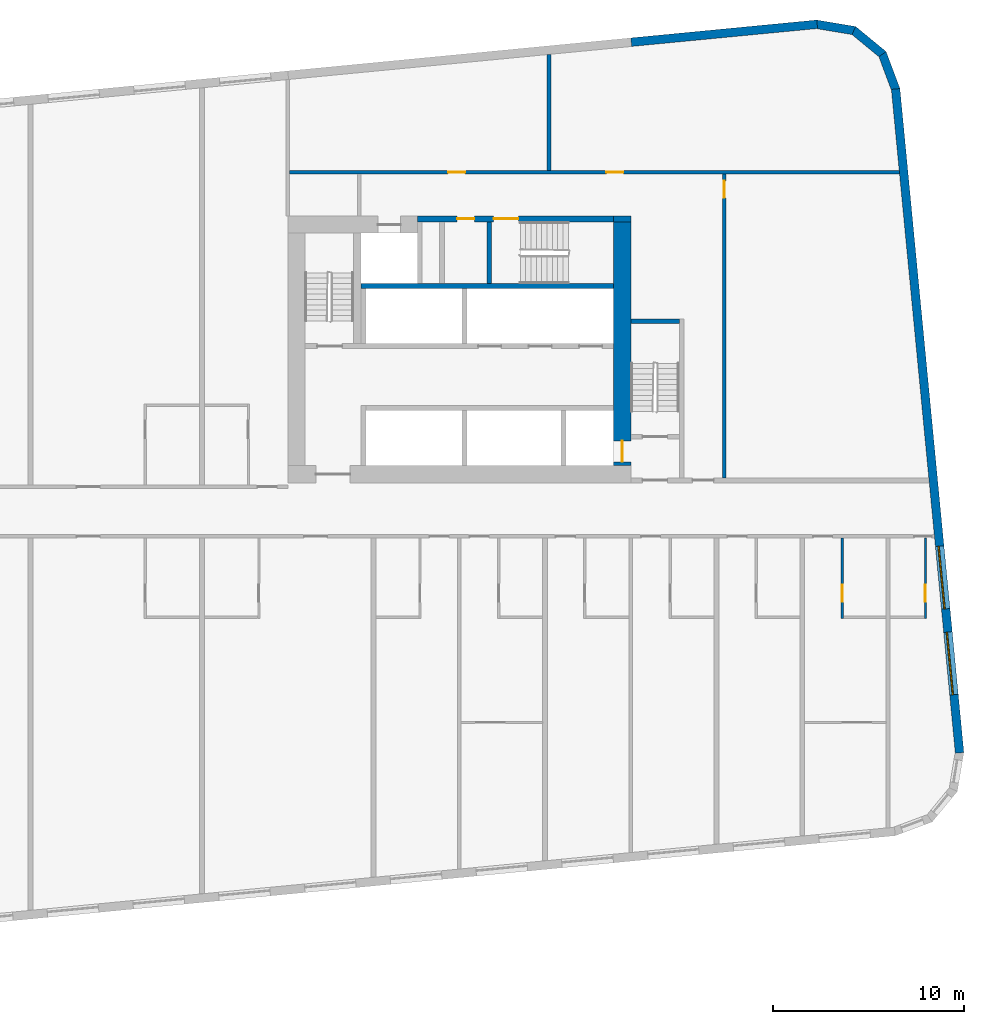
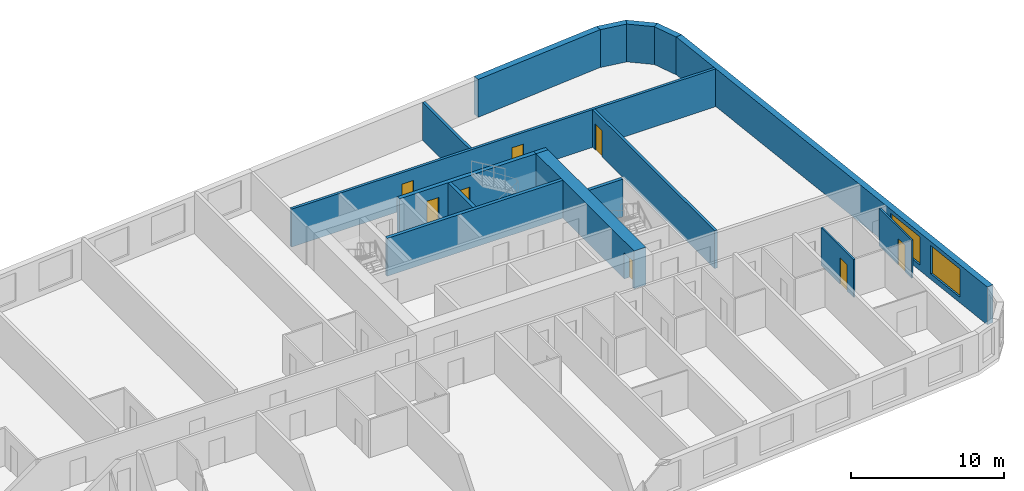
# One storey, part 8 of 12: 16 walls, 8 doors, 2 windows, 10 openings.
"""IFC4 building model written with IfcOpenShell, lengths in metres."""

import ifcopenshell
import ifcopenshell.guid

model = None  # the IFC model being written
_history = None  # IfcOwnerHistory: only IFC2X3 demands one
_inside = {}  # id of a spatial element -> (the spatial element, [elements in it])
_under = {}  # id of a project, library or spatial element -> (it, [spatial elements below it])
_declared = {}  # id of a project -> (the project, [libraries it declares])
_typed = {}  # id of a type object -> (the type object, [elements of that type])
_made_of = {}  # id of a material, layer set ... -> (it, [elements and type objects made of it])


def new_model(schema):
    """Start an empty IFC model of exactly this schema.

    Asked for "IFC4X3", IfcOpenShell would pick the latest addendum, in which some entities
    have other attributes; the version numbers below select the first issue.
    IFC2X3 requires an IfcOwnerHistory on every rooted entity: one is made here for all.
    """
    global model, _history
    if schema == "IFC4X3":
        model = ifcopenshell.file(schema_version=(4, 3, 0, 0))
    else:
        model = ifcopenshell.file(schema=schema)
    _inside.clear()
    _under.clear()
    _declared.clear()
    _typed.clear()
    _made_of.clear()
    _history = None
    if model.schema == "IFC2X3":
        org = make("IfcOrganization", Name="unknown")
        user = make(
            "IfcPersonAndOrganization",
            ThePerson=make("IfcPerson", FamilyName="unknown"),
            TheOrganization=org,
        )
        app = make(
            "IfcApplication",
            ApplicationDeveloper=org,
            Version="unknown",
            ApplicationFullName="unknown",
            ApplicationIdentifier="unknown",
        )
        _history = make(
            "IfcOwnerHistory",
            OwningUser=user,
            OwningApplication=app,
            ChangeAction="ADDED",
            CreationDate=0,
        )
    return model


def make(cls, **values):
    """One entity of the class cls with the attributes given. An attribute that is None is left unset."""
    return model.create_entity(
        cls, **{name: value for name, value in values.items() if value is not None}
    )


def rooted(cls, **values):
    """An entity with a GlobalId (a new one), such as an element, a storey or a relation."""
    return make(cls, GlobalId=ifcopenshell.guid.new(), OwnerHistory=_history, **values)


def si_unit(unit_type, name, prefix=None):
    """IfcSIUnit, for example si_unit("LENGTHUNIT", "METRE", prefix="MILLI")."""
    return make("IfcSIUnit", UnitType=unit_type, Prefix=prefix, Name=name)


def assignment(units):
    """IfcUnitAssignment: the units of a project."""
    return None if units is None else make("IfcUnitAssignment", Units=units)


def point(xyz):
    """IfcCartesianPoint."""
    return None if xyz is None else make("IfcCartesianPoint", Coordinates=xyz)


def direction(xyz):
    """IfcDirection."""
    return None if xyz is None else make("IfcDirection", DirectionRatios=xyz)


def frame(location, z_axis=None, x_axis=None):
    """IfcAxis2Placement3D, a coordinate frame: its origin and axes. An axis left out is left unset."""
    return make(
        "IfcAxis2Placement3D",
        Location=point(location),
        Axis=direction(z_axis),
        RefDirection=direction(x_axis),
    )


def frame_2d(location, x_axis=None):
    """IfcAxis2Placement2D, a coordinate frame in the plane: its origin and x axis."""
    return make(
        "IfcAxis2Placement2D", Location=point(location), RefDirection=direction(x_axis)
    )


def origin():
    """The frame at (0, 0, 0) with its axes left unset."""
    return frame((0.0, 0.0, 0.0))


def place(relative_to, where):
    """IfcLocalPlacement: puts the frame where relative to a parent placement (None: the world)."""
    return make(
        "IfcLocalPlacement", PlacementRelTo=relative_to, RelativePlacement=where
    )


def context(
    kind, dimensions, precision=None, world=None, true_north=None, identifier=None
):
    """IfcGeometricRepresentationContext, for example the 3D "Model" context."""
    return make(
        "IfcGeometricRepresentationContext",
        ContextIdentifier=identifier,
        ContextType=kind,
        CoordinateSpaceDimension=dimensions,
        Precision=precision,
        WorldCoordinateSystem=world,
        TrueNorth=true_north,
    )


def subcontext(parent, identifier, kind, view, scale=None):
    """IfcGeometricRepresentationSubContext, for example "Body" below "Model"."""
    return make(
        "IfcGeometricRepresentationSubContext",
        ContextIdentifier=identifier,
        ContextType=kind,
        ParentContext=parent,
        TargetScale=scale,
        TargetView=view,
    )


def project(units=None, contexts=None):
    """IfcProject with its units and contexts."""
    return rooted(
        "IfcProject",
        Name="project",
        RepresentationContexts=contexts,
        UnitsInContext=assignment(units),
    )


def spatial(cls, under=None, at=None, **own):
    """A site, building, storey or space (cls), placed at a placement, below another one or the project."""
    s = rooted(cls, ObjectPlacement=at, **own)
    if under is not None:
        _under.setdefault(under.id(), (under, []))[1].append(s)
    return s


def polyline(points):
    """IfcPolyline through the points."""
    return make("IfcPolyline", Points=[point(p) for p in points])


def profile(cls, at=None, kind="AREA", **sizes):
    """A parametric profile (cls). Its sizes go by their IFC names, for example OverallWidth=200.0."""
    return make(cls, ProfileType=kind, Position=at, **sizes)


def rectangle(**sizes):
    """IfcRectangleProfileDef."""
    return profile("IfcRectangleProfileDef", **sizes)


def outline(outer, holes=None, kind="AREA"):
    """IfcArbitraryClosedProfileDef: a profile drawn as a closed curve; with holes, ...WithVoids."""
    if holes is None:
        return make("IfcArbitraryClosedProfileDef", ProfileType=kind, OuterCurve=outer)
    return make(
        "IfcArbitraryProfileDefWithVoids",
        ProfileType=kind,
        OuterCurve=outer,
        InnerCurves=holes,
    )


def extrude(swept, where, along, depth):
    """IfcExtrudedAreaSolid: the profile swept, set in the frame where, extruded along a direction by depth."""
    return make(
        "IfcExtrudedAreaSolid",
        SweptArea=swept,
        Position=where,
        ExtrudedDirection=direction(along),
        Depth=depth,
    )


def shape(context_of_items, identifier, shape_type, items):
    """IfcShapeRepresentation: the items that make up one representation, for example the "Body"."""
    return make(
        "IfcShapeRepresentation",
        ContextOfItems=context_of_items,
        RepresentationIdentifier=identifier,
        RepresentationType=shape_type,
        Items=items,
    )


def material(Name=None, Category=None):
    """IfcMaterial."""
    return make("IfcMaterial", Name=Name, Category=Category)


def layer(
    of_material, thickness, ventilated=None, Name=None, Category=None, Priority=None
):
    """IfcMaterialLayer: one layer of a wall or slab, of a material (None: an air gap)."""
    return make(
        "IfcMaterialLayer",
        Material=of_material,
        LayerThickness=thickness,
        IsVentilated=ventilated,
        Name=Name,
        Category=Category,
        Priority=Priority,
    )


def layer_set(layers, Name=None):
    """IfcMaterialLayerSet."""
    return make("IfcMaterialLayerSet", MaterialLayers=layers, LayerSetName=Name)


def made_of(thing, what):
    """Note that an element or type object is made of a material, layer set ...; save() writes the relation."""
    if what is not None:
        _made_of.setdefault(what.id(), (what, []))[1].append(thing)
    return thing


def type_object(cls, material=None, **own):
    """A type object (cls), such as IfcWallType, which elements share."""
    return made_of(rooted(cls, **own), material)


def element(
    cls,
    number,
    at=None,
    inside=None,
    cuts=None,
    type_object=None,
    material=None,
    context=None,
    identifier="Body",
    shape_type=None,
    held_by="IfcProductDefinitionShape",
    body=None,
    shapes=None,
    **own,
):
    """One element of the class cls, such as IfcWall. Its Tag is "e" and its number.

    at: its placement. inside: the storey or other place that contains it. cuts: it is an
    opening in that element (IfcRelVoidsElement). A single representation is given by context,
    identifier, shape_type and body (its items); several are given by shapes. held_by: the class
    of the entity that holds the representations. save() writes the other relations.
    """
    e = rooted(cls, Tag="e%d" % number, ObjectPlacement=at, **own)
    if body is not None:
        shapes = [shape(context, identifier, shape_type, body)]
    if shapes is not None:
        e.Representation = make(held_by, Representations=shapes)
    if inside is not None:
        _inside.setdefault(inside.id(), (inside, []))[1].append(e)
    if cuts is not None:
        rooted(
            "IfcRelVoidsElement", RelatingBuildingElement=cuts, RelatedOpeningElement=e
        )
    if type_object is not None:
        _typed.setdefault(type_object.id(), (type_object, []))[1].append(e)
    return made_of(e, material)


def fill(opening, filler):
    """IfcRelFillsElement: the door or window that sits in an opening."""
    return rooted(
        "IfcRelFillsElement",
        RelatingOpeningElement=opening,
        RelatedBuildingElement=filler,
    )


def aggregate(whole, parts):
    """IfcRelAggregates: a whole, such as a stair, and the parts it consists of."""
    return rooted("IfcRelAggregates", RelatingObject=whole, RelatedObjects=parts)


def save(model, path):
    """Write the relations noted so far, then the file.

    IfcRelAggregates (storeys below a building ...), IfcRelContainedInSpatialStructure (elements
    in a storey), IfcRelDefinesByType, IfcRelAssociatesMaterial and IfcRelDeclares: one each for
    every whole, place, type object, material and project.
    """
    for whole, parts in _under.values():
        aggregate(whole, parts)
    for where, things in _inside.values():
        rooted(
            "IfcRelContainedInSpatialStructure",
            RelatedElements=things,
            RelatingStructure=where,
        )
    for kind, things in _typed.values():
        rooted("IfcRelDefinesByType", RelatedObjects=things, RelatingType=kind)
    for what, things in _made_of.values():
        rooted("IfcRelAssociatesMaterial", RelatedObjects=things, RelatingMaterial=what)
    for by, libraries in _declared.values():
        rooted("IfcRelDeclares", RelatingContext=by, RelatedDefinitions=libraries)
    model.write(path)


model = new_model("IFC4")

# Units and contexts
model_context = context("Model", 3, precision=1e-05, world=origin(), true_north=direction((0.0, 1.0)))
body_context = subcontext(model_context, "Body", "Model", "MODEL_VIEW")
ifc_project = project(units=[si_unit("LENGTHUNIT", "METRE"), si_unit("AREAUNIT", "SQUARE_METRE"), si_unit("VOLUMEUNIT", "CUBIC_METRE"), si_unit("PLANEANGLEUNIT", "RADIAN"), si_unit("MASSUNIT", "GRAM", prefix="KILO")], contexts=[model_context])

# Site, building, storey
site_placement = place(None, origin())
site = spatial("IfcSite", under=ifc_project, at=site_placement, CompositionType="ELEMENT")
building_placement = place(site_placement, origin())
building = spatial("IfcBuilding", under=site, at=building_placement, Name="Kajstack Hotel Tower", CompositionType="ELEMENT")
storey_placement = place(building_placement, frame((0.0, 0.0, 124.0)))
storey = spatial("IfcBuildingStorey", under=building, at=storey_placement, Name="L27", CompositionType="ELEMENT", Elevation=124.0)

# Wall
ifc_material_1 = material(Name="Concrete C60/75", Category="concrete")
ifc_layer_1 = layer(ifc_material_1, 0.89990234375)
ifc_layer_set_1 = layer_set([ifc_layer_1], Name="Core wall 900")
wall_type_1 = type_object("IfcWallType", Name="Core wall 900", PredefinedType="SHEAR", material=ifc_layer_set_1)
wall_1_placement = place(storey_placement, frame((30.60009765625, 15.35009765625, 0.0), z_axis=(0.0, 0.0, 1.0), x_axis=(1.0, 0.0, 0.0)))
element("IfcWall", 1, at=wall_1_placement, inside=storey, type_object=wall_type_1, Name="Core wall E RSW", PredefinedType="SHEAR", context=body_context, shape_type="SweptSolid", body=[
    extrude(rectangle(XDim=0.89990234375, YDim=0.300048828125, at=frame_2d((0.449951171875, 0.0))), origin(), (0.0, 0.0, 1.0), 3.02001953125),
])

# Wall, opening, door
wall_2_placement = place(storey_placement, frame((31.050048828125, 2.39990234375, 0.0), z_axis=(0.0, 0.0, 1.0), x_axis=(0.0, 1.0, 0.0)))
wall_2 = element("IfcWall", 2, at=wall_2_placement, inside=storey, type_object=wall_type_1, Name="Core wall E RW", PredefinedType="SHEAR", context=body_context, shape_type="SweptSolid", body=[
    extrude(rectangle(XDim=12.800048828125, YDim=0.89990234375, at=frame_2d((6.39990234375, 0.0))), origin(), (0.0, 0.0, 1.0), 3.02001953125),
])
opening_1_placement = place(wall_2_placement, frame((0.199951171875, 0.0, 0.0)))
opening_1 = element("IfcOpeningElement", 3, at=opening_1_placement, cuts=wall_2, Name="Opening LD-FF2", PredefinedType="OPENING", context=body_context, shape_type="SweptSolid", body=[
    extrude(rectangle(XDim=1.10009765625, YDim=2.10009765625, at=frame_2d((0.550048828125, 1.050048828125))), frame((0.0, 0.4599609375, 0.0), z_axis=(0.0, -1.0, 0.0), x_axis=(1.0, 0.0, 0.0)), (0.0, 0.0, 1.0), 0.919921875),
])
ifc_material_2 = material(Name="Stainless steel", Category="steel")
door_type_1 = type_object("IfcDoorType", Name="Fire-fighting lift landing door 1100", OperationType="SLIDING_TO_LEFT", PredefinedType="DOOR", material=ifc_material_2)
door_1_placement = place(opening_1_placement, origin())
door_1 = element("IfcDoor", 4, at=door_1_placement, inside=storey, type_object=door_type_1, Name="Landing door FF2", OperationType="SLIDING_TO_LEFT", OverallHeight=2.10009765625, OverallWidth=1.10009765625, PredefinedType="DOOR", context=body_context, shape_type="SweptSolid", body=[
    extrude(rectangle(XDim=1.10009765625, YDim=2.10009765625, at=frame_2d((0.550048828125, 1.050048828125))), frame((0.0, 0.02490234375, 0.0), z_axis=(0.0, -1.0, 0.0), x_axis=(1.0, 0.0, 0.0)), (0.0, 0.0, 1.0), 0.050048828125),
])
fill(opening_1, door_1)

# Wall, openings, windows
ifc_material_3 = material(Name="Terracotta-faced brick masonry", Category="masonry")
ifc_layer_2 = layer(ifc_material_3, 0.449951171875)
ifc_layer_set_2 = layer_set([ifc_layer_2], Name="EW-TERRA")
wall_type_2 = type_object("IfcWallType", Name="EW-TERRA", PredefinedType="SOLIDWALL", material=ifc_layer_set_2)
wall_3_placement = place(storey_placement, frame((48.7529296875, -12.671630859375, 0.0), z_axis=(0.0, 0.0, 1.0), x_axis=(-0.095842661909, 0.995396495954, 0.0)))
wall_3 = element("IfcWall", 5, at=wall_3_placement, inside=storey, type_object=wall_type_2, Name="E-wall-L27-08-00", PredefinedType="SOLIDWALL", context=body_context, shape_type="SweptSolid", body=[
    extrude(rectangle(XDim=35.0, YDim=0.449951171875, at=frame_2d((17.5, 0.0))), origin(), (0.0, 0.0, 1.0), 3.02001953125),
])
opening_2_placement = place(wall_3_placement, frame((3.07177734375, 0.0, 0.449951171875)))
opening_2 = element("IfcOpeningElement", 6, at=opening_2_placement, cuts=wall_3, Name="Opening W2", PredefinedType="OPENING", context=body_context, shape_type="SweptSolid", body=[
    extrude(rectangle(XDim=3.300048828125, YDim=2.25, at=frame_2d((1.64990234375, 1.125))), frame((0.0, 0.23486328125, 0.0), z_axis=(0.0, -1.0, 0.0), x_axis=(1.0, 0.0, 0.0)), (0.0, 0.0, 1.0), 0.469970703125),
])
opening_3_placement = place(wall_3_placement, frame((7.592529296875, 0.0, 0.449951171875)))
opening_3 = element("IfcOpeningElement", 7, at=opening_3_placement, cuts=wall_3, Name="Opening W2", PredefinedType="OPENING", context=body_context, shape_type="SweptSolid", body=[
    extrude(rectangle(XDim=3.300048828125, YDim=2.25, at=frame_2d((1.64990234375, 1.125))), frame((0.0, 0.23486328125, 0.0), z_axis=(0.0, -1.0, 0.0), x_axis=(1.0, 0.0, 0.0)), (0.0, 0.0, 1.0), 0.469970703125),
])
ifc_material_4 = material(Name="Timber-aluminium window, triple glazed", Category="wood")
window_type = type_object("IfcWindowType", Name="WG2", PartitioningType="SINGLE_PANEL", PredefinedType="WINDOW", material=ifc_material_4)
window_1_placement = place(opening_2_placement, origin())
window_1 = element("IfcWindow", 8, at=window_1_placement, inside=storey, type_object=window_type, Name="Window W2 L27-08", OverallHeight=2.25, OverallWidth=3.300048828125, PartitioningType="SINGLE_PANEL", PredefinedType="WINDOW", context=body_context, shape_type="SweptSolid", body=[
    extrude(rectangle(XDim=3.300048828125, YDim=2.25, at=frame_2d((1.64990234375, 1.125))), frame((0.0, 0.090087890625, 0.0), z_axis=(0.0, -1.0, 0.0), x_axis=(1.0, 0.0, 0.0)), (0.0, 0.0, 1.0), 0.06005859375),
])
fill(opening_2, window_1)
window_2_placement = place(opening_3_placement, origin())
window_2 = element("IfcWindow", 9, at=window_2_placement, inside=storey, type_object=window_type, Name="Window W2 L27-08", OverallHeight=2.25, OverallWidth=3.300048828125, PartitioningType="SINGLE_PANEL", PredefinedType="WINDOW", context=body_context, shape_type="SweptSolid", body=[
    extrude(rectangle(XDim=3.300048828125, YDim=2.25, at=frame_2d((1.64990234375, 1.125))), frame((0.0, 0.090087890625, 0.0), z_axis=(0.0, -1.0, 0.0), x_axis=(1.0, 0.0, 0.0)), (0.0, 0.0, 1.0), 0.06005859375),
])
fill(opening_3, window_2)

# Walls
wall_4_placement = place(storey_placement, frame((45.41162109375, 22.10986328125, 0.0), z_axis=(0.0, 0.0, 1.0), x_axis=(-0.350192909346, 0.936677599948, 0.0)))
element("IfcWall", 10, at=wall_4_placement, inside=storey, type_object=wall_type_2, Name="E-wall-L27-09-00", PredefinedType="SOLIDWALL", context=body_context, shape_type="SweptSolid", body=[
    extrude(outline(polyline([(0.0, -0.22509765625), (2.070556640625, -0.22509765625), (1.949951171875, 0.224853515625), (0.12060546875, 0.224853515625), (0.0, -0.22509765625)])), origin(), (0.0, 0.0, 1.0), 3.02001953125),
])
wall_5_placement = place(storey_placement, frame((44.754150390625, 23.95458984375, 0.0), z_axis=(0.0, 0.0, 1.0), x_axis=(-0.771651049663, 0.636046112757, 0.0)))
element("IfcWall", 11, at=wall_5_placement, inside=storey, type_object=wall_type_2, Name="E-wall-L27-10-00", PredefinedType="SOLIDWALL", context=body_context, shape_type="SweptSolid", body=[
    extrude(outline(polyline([(0.0, -0.22509765625), (2.070556640625, -0.22509765625), (1.949951171875, 0.224853515625), (0.12060546875, 0.22509765625), (0.0, -0.22509765625)])), origin(), (0.0, 0.0, 1.0), 3.02001953125),
])
wall_6_placement = place(storey_placement, frame((43.262451171875, 25.223388671875, 0.0), z_axis=(0.0, 0.0, 1.0), x_axis=(-0.986298144721, 0.164972633245, 0.0)))
element("IfcWall", 12, at=wall_6_placement, inside=storey, type_object=wall_type_2, Name="E-wall-L27-11-00", PredefinedType="SOLIDWALL", context=body_context, shape_type="SweptSolid", body=[
    extrude(outline(polyline([(0.0, -0.224853515625), (2.070556640625, -0.22509765625), (1.949951171875, 0.22509765625), (0.12060546875, 0.22509765625), (0.0, -0.224853515625)])), origin(), (0.0, 0.0, 1.0), 3.02001953125),
])
wall_7_placement = place(storey_placement, frame((41.279052734375, 25.56298828125, 0.0), z_axis=(0.0, 0.0, 1.0), x_axis=(-0.995394735506, -0.095860943703, 0.0)))
element("IfcWall", 13, at=wall_7_placement, inside=storey, type_object=wall_type_2, Name="E-wall-L27-12-00", PredefinedType="SOLIDWALL", context=body_context, shape_type="SweptSolid", body=[
    extrude(rectangle(XDim=9.802734375, YDim=0.449951171875, at=frame_2d((4.9013671875, 0.0))), origin(), (0.0, 0.0, 1.0), 3.02001953125),
])

# Wall, opening, door
ifc_material_5 = material(Name="Gypsum board and tiled backer on steel studs", Category="steel")
ifc_layer_3 = layer(ifc_material_5, 0.125)
ifc_layer_set_3 = layer_set([ifc_layer_3], Name="En-suite wall 125")
wall_type_3 = type_object("IfcWallType", Name="En-suite wall 125", PredefinedType="PARTITIONING", material=ifc_layer_set_3)
wall_8_placement = place(storey_placement, frame((42.5869140625, -5.625, 0.0), z_axis=(0.0, 0.0, 1.0), x_axis=(0.0, 1.0, 0.0)))
wall_8 = element("IfcWall", 14, at=wall_8_placement, inside=storey, type_object=wall_type_3, Name="G-wall-L27-049", PredefinedType="PARTITIONING", context=body_context, shape_type="SweptSolid", body=[
    extrude(rectangle(XDim=4.22509765625, YDim=0.125, at=frame_2d((2.112548828125, 0.0))), origin(), (0.0, 0.0, 1.0), 3.02001953125),
])
opening_4_placement = place(wall_8_placement, frame((0.875, 0.0, 0.0)))
opening_4 = element("IfcOpeningElement", 15, at=opening_4_placement, cuts=wall_8, Name="Opening 27041", PredefinedType="OPENING", context=body_context, shape_type="SweptSolid", body=[
    extrude(rectangle(XDim=0.89990234375, YDim=2.10009765625, at=frame_2d((0.449951171875, 1.050048828125))), frame((0.0, 0.072509765625, 0.0), z_axis=(0.0, -1.0, 0.0), x_axis=(1.0, 0.0, 0.0)), (0.0, 0.0, 1.0), 0.14501953125),
])
ifc_material_6 = material(Name="Painted timber door leaf", Category="wood")
door_type_2 = type_object("IfcDoorType", Name="Room door 900", OperationType="SINGLE_SWING_LEFT", PredefinedType="DOOR", material=ifc_material_6)
door_2_placement = place(opening_4_placement, origin())
door_2 = element("IfcDoor", 16, at=door_2_placement, inside=storey, type_object=door_type_2, Name="G-door-L27-41", OperationType="SINGLE_SWING_LEFT", OverallHeight=2.10009765625, OverallWidth=0.89990234375, PredefinedType="DOOR", context=body_context, shape_type="SweptSolid", body=[
    extrude(rectangle(XDim=0.89990234375, YDim=2.10009765625, at=frame_2d((0.449951171875, 1.050048828125))), frame((0.0, 0.02490234375, 0.0), z_axis=(0.0, -1.0, 0.0), x_axis=(1.0, 0.0, 0.0)), (0.0, 0.0, 1.0), 0.050048828125),
])
fill(opening_4, door_2)

wall_9_placement = place(storey_placement, frame((46.9619140625, -5.625, 0.0), z_axis=(0.0, 0.0, 1.0), x_axis=(0.0, 1.0, 0.0)))
wall_9 = element("IfcWall", 17, at=wall_9_placement, inside=storey, type_object=wall_type_3, Name="G-wall-L27-052", PredefinedType="PARTITIONING", context=body_context, shape_type="SweptSolid", body=[
    extrude(rectangle(XDim=4.22509765625, YDim=0.125, at=frame_2d((2.112548828125, 0.0))), origin(), (0.0, 0.0, 1.0), 3.02001953125),
])
opening_5_placement = place(wall_9_placement, frame((0.875, 0.0, 0.0)))
opening_5 = element("IfcOpeningElement", 18, at=opening_5_placement, cuts=wall_9, Name="Opening 27044", PredefinedType="OPENING", context=body_context, shape_type="SweptSolid", body=[
    extrude(rectangle(XDim=0.89990234375, YDim=2.10009765625, at=frame_2d((0.449951171875, 1.050048828125))), frame((0.0, 0.072509765625, 0.0), z_axis=(0.0, -1.0, 0.0), x_axis=(1.0, 0.0, 0.0)), (0.0, 0.0, 1.0), 0.14501953125),
])
door_3_placement = place(opening_5_placement, origin())
door_3 = element("IfcDoor", 19, at=door_3_placement, inside=storey, type_object=door_type_2, Name="G-door-L27-44", OperationType="SINGLE_SWING_LEFT", OverallHeight=2.10009765625, OverallWidth=0.89990234375, PredefinedType="DOOR", context=body_context, shape_type="SweptSolid", body=[
    extrude(rectangle(XDim=0.89990234375, YDim=2.10009765625, at=frame_2d((0.449951171875, 1.050048828125))), frame((0.0, 0.02490234375, 0.0), z_axis=(0.0, -1.0, 0.0), x_axis=(1.0, 0.0, 0.0)), (0.0, 0.0, 1.0), 0.050048828125),
])
fill(opening_5, door_3)

ifc_material_7 = material(Name="Gypsum board on steel studs, mineral wool", Category="steel")
ifc_layer_4 = layer(ifc_material_7, 0.199951171875)
ifc_layer_set_4 = layer_set([ifc_layer_4], Name="Service partition 200")
wall_type_4 = type_object("IfcWallType", Name="Service partition 200", PredefinedType="PARTITIONING", material=ifc_layer_set_4)
wall_10_placement = place(storey_placement, frame((36.39990234375, 1.75, 0.0), z_axis=(0.0, 0.0, 1.0), x_axis=(0.0, 1.0, 0.0)))
wall_10 = element("IfcWall", 20, at=wall_10_placement, inside=storey, type_object=wall_type_4, Name="Partition E WRE", PredefinedType="PARTITIONING", context=body_context, shape_type="SweptSolid", body=[
    extrude(rectangle(XDim=15.949951171875, YDim=0.199951171875, at=frame_2d((7.97509765625, 0.0))), origin(), (0.0, 0.0, 1.0), 3.02001953125),
])
opening_6_placement = place(wall_10_placement, frame((14.699951171875, 0.0, 0.0)))
opening_6 = element("IfcOpeningElement", 21, at=opening_6_placement, cuts=wall_10, Name="Opening 27E15", PredefinedType="OPENING", context=body_context, shape_type="SweptSolid", body=[
    extrude(rectangle(XDim=0.89990234375, YDim=2.10009765625, at=frame_2d((0.449951171875, 1.050048828125))), frame((0.0, 0.10986328125, 0.0), z_axis=(0.0, -1.0, 0.0), x_axis=(1.0, 0.0, 0.0)), (0.0, 0.0, 1.0), 0.219970703125),
])
ifc_material_8 = material(Name="Timber leaf, fire-rated", Category="wood")
door_type_3 = type_object("IfcDoorType", Name="Service door 900", OperationType="SINGLE_SWING_LEFT", PredefinedType="DOOR", material=ifc_material_8)
door_4_placement = place(opening_6_placement, origin())
door_4 = element("IfcDoor", 22, at=door_4_placement, inside=storey, type_object=door_type_3, Name="Door 27E15", OperationType="SINGLE_SWING_RIGHT", OverallHeight=2.10009765625, OverallWidth=0.89990234375, PredefinedType="DOOR", context=body_context, shape_type="SweptSolid", body=[
    extrude(rectangle(XDim=0.89990234375, YDim=2.10009765625, at=frame_2d((0.449951171875, 1.050048828125))), frame((0.0, 0.02490234375, 0.0), z_axis=(0.0, -1.0, 0.0), x_axis=(1.0, 0.0, 0.0)), (0.0, 0.0, 1.0), 0.050048828125),
])
fill(opening_6, door_4)

# Wall, openings, doors
wall_11_placement = place(storey_placement, frame((13.60009765625, 17.800048828125, 0.0), z_axis=(0.0, 0.0, 1.0), x_axis=(1.0, 0.0, 0.0)))
wall_11 = element("IfcWall", 23, at=wall_11_placement, inside=storey, type_object=wall_type_4, Name="Partition E SLN", PredefinedType="PARTITIONING", context=body_context, shape_type="SweptSolid", body=[
    extrude(rectangle(XDim=31.992919921875, YDim=0.199951171875, at=frame_2d((15.99658203125, 0.0))), origin(), (0.0, 0.0, 1.0), 3.02001953125),
])
opening_7_placement = place(wall_11_placement, frame((16.612548828125, 0.0, 0.0)))
opening_7 = element("IfcOpeningElement", 24, at=opening_7_placement, cuts=wall_11, Name="Opening 27E13", PredefinedType="OPENING", context=body_context, shape_type="SweptSolid", body=[
    extrude(rectangle(XDim=0.89990234375, YDim=2.10009765625, at=frame_2d((0.449951171875, 1.050048828125))), frame((0.0, 0.10986328125, 0.0), z_axis=(0.0, -1.0, 0.0), x_axis=(1.0, 0.0, 0.0)), (0.0, 0.0, 1.0), 0.219970703125),
])
opening_8_placement = place(wall_11_placement, frame((8.3125, 0.0, 0.0)))
opening_8 = element("IfcOpeningElement", 25, at=opening_8_placement, cuts=wall_11, Name="Opening 27E14", PredefinedType="OPENING", context=body_context, shape_type="SweptSolid", body=[
    extrude(rectangle(XDim=0.89990234375, YDim=2.10009765625, at=frame_2d((0.449951171875, 1.050048828125))), frame((0.0, 0.10986328125, 0.0), z_axis=(0.0, -1.0, 0.0), x_axis=(1.0, 0.0, 0.0)), (0.0, 0.0, 1.0), 0.219970703125),
])
door_5_placement = place(opening_7_placement, origin())
door_5 = element("IfcDoor", 26, at=door_5_placement, inside=storey, type_object=door_type_3, Name="Door 27E13", OperationType="SINGLE_SWING_LEFT", OverallHeight=2.10009765625, OverallWidth=0.89990234375, PredefinedType="DOOR", context=body_context, shape_type="SweptSolid", body=[
    extrude(rectangle(XDim=0.89990234375, YDim=2.10009765625, at=frame_2d((0.449951171875, 1.050048828125))), frame((0.0, 0.02490234375, 0.0), z_axis=(0.0, -1.0, 0.0), x_axis=(1.0, 0.0, 0.0)), (0.0, 0.0, 1.0), 0.050048828125),
])
fill(opening_7, door_5)
door_6_placement = place(opening_8_placement, origin())
door_6 = element("IfcDoor", 27, at=door_6_placement, inside=storey, type_object=door_type_3, Name="Door 27E14", OperationType="SINGLE_SWING_LEFT", OverallHeight=2.10009765625, OverallWidth=0.89990234375, PredefinedType="DOOR", context=body_context, shape_type="SweptSolid", body=[
    extrude(rectangle(XDim=0.89990234375, YDim=2.10009765625, at=frame_2d((0.449951171875, 1.050048828125))), frame((0.0, 0.02490234375, 0.0), z_axis=(0.0, -1.0, 0.0), x_axis=(1.0, 0.0, 0.0)), (0.0, 0.0, 1.0), 0.050048828125),
])
fill(opening_8, door_6)

# Wall
wall_12_placement = place(storey_placement, frame((27.199951171875, 17.89990234375, 0.0), z_axis=(0.0, 0.0, 1.0), x_axis=(0.0, 1.0, 0.0)))
element("IfcWall", 28, at=wall_12_placement, inside=storey, type_object=wall_type_4, Name="Partition E SLP0", PredefinedType="PARTITIONING", context=body_context, shape_type="SweptSolid", body=[
    extrude(rectangle(XDim=6.082275390625, YDim=0.199951171875, at=frame_2d((3.041015625, 0.0))), origin(), (0.0, 0.0, 1.0), 3.02001953125),
])

# Wall, openings, doors
ifc_material_9 = material(Name="Concrete C50/60", Category="concrete")
ifc_layer_5 = layer(ifc_material_9, 0.25)
ifc_layer_set_5 = layer_set([ifc_layer_5], Name="Shaft wall 250")
wall_type_5 = type_object("IfcWallType", Name="Shaft wall 250", PredefinedType="SHEAR", material=ifc_layer_set_5)
wall_13_placement = place(storey_placement, frame((20.300048828125, 15.35009765625, 0.0), z_axis=(0.0, 0.0, 1.0), x_axis=(1.0, 0.0, 0.0)))
wall_13 = element("IfcWall", 29, at=wall_13_placement, inside=storey, type_object=wall_type_5, Name="Core wall E RSS", PredefinedType="SHEAR", context=body_context, shape_type="SweptSolid", body=[
    extrude(rectangle(XDim=10.300048828125, YDim=0.300048828125, at=frame_2d((5.14990234375, 0.0))), origin(), (0.0, 0.0, 1.0), 3.02001953125),
])
opening_9_placement = place(wall_13_placement, frame((4.0, 0.0, 0.0)))
opening_9 = element("IfcOpeningElement", 30, at=opening_9_placement, cuts=wall_13, Name="Opening 27E11", PredefinedType="OPENING", context=body_context, shape_type="SweptSolid", body=[
    extrude(rectangle(XDim=1.300048828125, YDim=2.10009765625, at=frame_2d((0.64990234375, 1.050048828125))), frame((0.0, 0.159912109375, 0.0), z_axis=(0.0, -1.0, 0.0), x_axis=(1.0, 0.0, 0.0)), (0.0, 0.0, 1.0), 0.320068359375),
])
opening_10_placement = place(wall_13_placement, frame((2.08740234375, 0.0, 0.0)))
opening_10 = element("IfcOpeningElement", 31, at=opening_10_placement, cuts=wall_13, Name="Opening 27E12", PredefinedType="OPENING", context=body_context, shape_type="SweptSolid", body=[
    extrude(rectangle(XDim=0.89990234375, YDim=2.10009765625, at=frame_2d((0.449951171875, 1.050048828125))), frame((0.0, 0.159912109375, 0.0), z_axis=(0.0, -1.0, 0.0), x_axis=(1.0, 0.0, 0.0)), (0.0, 0.0, 1.0), 0.320068359375),
])
door_7_placement = place(opening_10_placement, origin())
door_7 = element("IfcDoor", 32, at=door_7_placement, inside=storey, type_object=door_type_3, Name="Door 27E12", OperationType="SINGLE_SWING_RIGHT", OverallHeight=2.10009765625, OverallWidth=0.89990234375, PredefinedType="DOOR", context=body_context, shape_type="SweptSolid", body=[
    extrude(rectangle(XDim=0.89990234375, YDim=2.10009765625, at=frame_2d((0.449951171875, 1.050048828125))), frame((0.0, 0.02490234375, 0.0), z_axis=(0.0, -1.0, 0.0), x_axis=(1.0, 0.0, 0.0)), (0.0, 0.0, 1.0), 0.050048828125),
])
fill(opening_10, door_7)
ifc_material_10 = material(Name="Steel leaf, fire-rated", Category="steel")
door_type_4 = type_object("IfcDoorType", Name="Stair door 1300", OperationType="SINGLE_SWING_LEFT", PredefinedType="DOOR", material=ifc_material_10)
door_8_placement = place(opening_9_placement, origin())
door_8 = element("IfcDoor", 33, at=door_8_placement, inside=storey, type_object=door_type_4, Name="Door 27E11", OperationType="SINGLE_SWING_LEFT", OverallHeight=2.10009765625, OverallWidth=1.300048828125, PredefinedType="DOOR", context=body_context, shape_type="SweptSolid", body=[
    extrude(rectangle(XDim=1.300048828125, YDim=2.10009765625, at=frame_2d((0.64990234375, 1.050048828125))), frame((0.0, 0.02490234375, 0.0), z_axis=(0.0, -1.0, 0.0), x_axis=(1.0, 0.0, 0.0)), (0.0, 0.0, 1.0), 0.050048828125),
])
fill(opening_9, door_8)

# Walls
wall_14_placement = place(storey_placement, frame((17.35009765625, 11.824951171875, 0.0), z_axis=(0.0, 0.0, 1.0), x_axis=(1.0, 0.0, 0.0)))
element("IfcWall", 34, at=wall_14_placement, inside=storey, type_object=wall_type_5, Name="Core wall E RB", PredefinedType="SHEAR", context=body_context, shape_type="SweptSolid", body=[
    extrude(rectangle(XDim=13.25, YDim=0.25, at=frame_2d((6.625, 0.0))), origin(), (0.0, 0.0, 1.0), 3.02001953125),
])
ifc_material_11 = material(Name="Concrete C40/50", Category="concrete")
ifc_layer_6 = layer(ifc_material_11, 0.25)
ifc_layer_set_6 = layer_set([ifc_layer_6], Name="Stair enclosure wall 250")
wall_type_6 = type_object("IfcWallType", Name="Stair enclosure wall 250", PredefinedType="SHEAR", material=ifc_layer_set_6)
wall_15_placement = place(storey_placement, frame((31.5, 9.97509765625, 0.0), z_axis=(0.0, 0.0, 1.0), x_axis=(1.0, 0.0, 0.0)))
element("IfcWall", 35, at=wall_15_placement, inside=storey, type_object=wall_type_6, Name="Core wall E W1S", PredefinedType="SHEAR", context=body_context, shape_type="SweptSolid", body=[
    extrude(rectangle(XDim=2.550048828125, YDim=0.25, at=frame_2d((1.27490234375, 0.0))), origin(), (0.0, 0.0, 1.0), 3.02001953125),
])
ifc_layer_7 = layer(ifc_material_9, 0.35009765625)
ifc_layer_set_7 = layer_set([ifc_layer_7], Name="Stair enclosure wall 350")
wall_type_7 = type_object("IfcWallType", Name="Stair enclosure wall 350", PredefinedType="SHEAR", material=ifc_layer_set_7)
wall_16_placement = place(storey_placement, frame((24.074951171875, 11.949951171875, 0.0), z_axis=(0.0, 0.0, 1.0), x_axis=(0.0, 1.0, 0.0)))
element("IfcWall", 36, at=wall_16_placement, inside=storey, type_object=wall_type_7, Name="Core wall E W3E", PredefinedType="SHEAR", context=body_context, shape_type="SweptSolid", body=[
    extrude(rectangle(XDim=3.25, YDim=0.25, at=frame_2d((1.625, 0.0))), origin(), (0.0, 0.0, 1.0), 3.02001953125),
])

save(model, "model.ifc")
